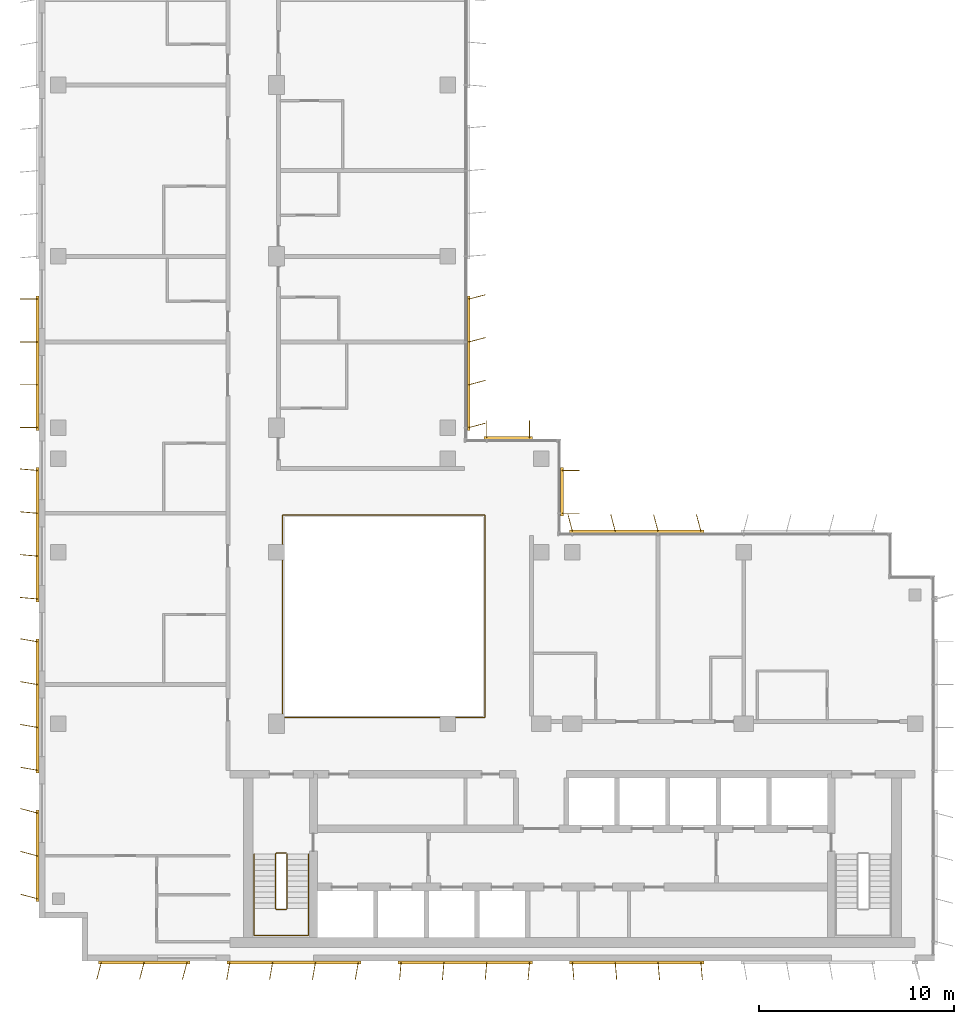
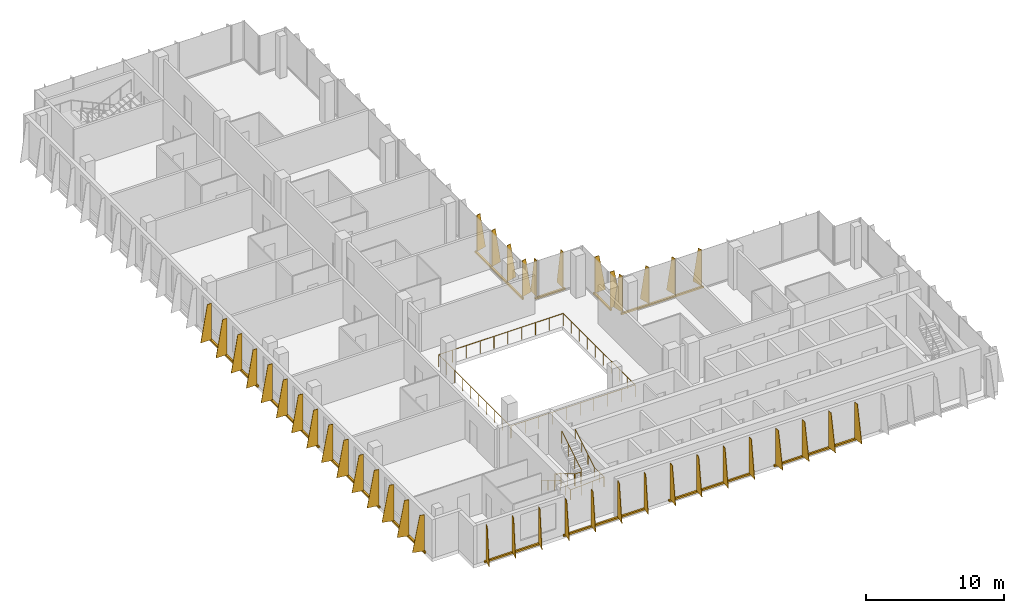
# One storey, part 14 of 16: 12 shading devices, 3 railings.
"""IFC4 building model written with IfcOpenShell, lengths in metres."""

from ifc_helpers import new_model, si_unit, direction, frame, origin, origin_2d, place, context, subcontext, project, spatial, polyline, rectangle, circle, outline, extrude, source, transform, mapped, material, layer, layer_set, type_object, element, save


model = new_model("IFC4")

# Units and contexts
model_context = context("Model", 3, precision=1e-05, world=origin(), true_north=direction((0.0, 1.0)))
body_context = subcontext(model_context, "Body", "Model", "MODEL_VIEW")
ifc_project = project(units=[si_unit("LENGTHUNIT", "METRE"), si_unit("AREAUNIT", "SQUARE_METRE"), si_unit("VOLUMEUNIT", "CUBIC_METRE"), si_unit("PLANEANGLEUNIT", "RADIAN"), si_unit("MASSUNIT", "GRAM", prefix="KILO")], contexts=[model_context])

# Site, building, storey
site_placement = place(None, origin())
site = spatial("IfcSite", under=ifc_project, at=site_placement, CompositionType="ELEMENT")
building_placement = place(site_placement, origin())
building = spatial("IfcBuilding", under=site, at=building_placement, Name="Kemantara Hotel Tower", CompositionType="ELEMENT")
storey_placement = place(building_placement, frame((0.0, 0.0, 272.199951171875)))
storey = spatial("IfcBuildingStorey", under=building, at=storey_placement, Name="L68", CompositionType="ELEMENT", Elevation=272.199951171875)

# Railings
ifc_material_1 = material(Name="Stainless steel and laminated glass balustrade", Category="steel")
railing_type_1 = type_object("IfcRailingType", Name="ATRIUM GUARD 1100", PredefinedType="GUARDRAIL", material=ifc_material_1)
railing_1_placement = place(storey_placement, frame((12.56005859375, 12.5, 0.0)))
element("IfcRailing", 1, at=railing_1_placement, inside=storey, type_object=railing_type_1, Name="ATRIUM GUARD L68", PredefinedType="GUARDRAIL", context=body_context, shape_type="SweptSolid", body=[
    extrude(circle(Radius=0.02490234375, at=origin_2d()), frame((0.0, 0.0, 1.0751953125), z_axis=(1.0, 0.0, 0.0), x_axis=(0.0, 1.0, 0.0)), (0.0, 0.0, 1.0), 10.33984375),
    extrude(circle(Radius=0.02490234375, at=origin_2d()), frame((10.33984375, 0.0, 1.0751953125), z_axis=(0.0, 1.0, 0.0), x_axis=(-1.0, 0.0, 0.0)), (0.0, 0.0, 1.0), 10.39990234375),
    extrude(circle(Radius=0.02490234375, at=origin_2d()), frame((10.33984375, 10.39990234375, 1.0751953125), z_axis=(-1.0, 0.0, 0.0), x_axis=(0.0, -1.0, 0.0)), (0.0, 0.0, 1.0), 10.39990234375),
    extrude(circle(Radius=0.02490234375, at=origin_2d()), frame((-0.06005859375, 10.39990234375, 1.0751953125), z_axis=(0.0, -1.0, 0.0), x_axis=(1.0, 0.0, 0.0)), (0.0, 0.0, 1.0), 10.39990234375),
    extrude(circle(Radius=0.02001953125, at=origin_2d()), origin(), (0.0, 0.0, 1.0), 1.050048828125),
    extrude(circle(Radius=0.02001953125, at=origin_2d()), frame((1.14892578125, 0.0, 0.0)), (0.0, 0.0, 1.0), 1.050048828125),
    extrude(circle(Radius=0.02001953125, at=origin_2d()), frame((2.2978515625, 0.0, 0.0)), (0.0, 0.0, 1.0), 1.050048828125),
    extrude(circle(Radius=0.02001953125, at=origin_2d()), frame((3.446533203125, 0.0, 0.0)), (0.0, 0.0, 1.0), 1.050048828125),
    extrude(circle(Radius=0.02001953125, at=origin_2d()), frame((4.595458984375, 0.0, 0.0)), (0.0, 0.0, 1.0), 1.050048828125),
    extrude(circle(Radius=0.02001953125, at=origin_2d()), frame((5.744384765625, 0.0, 0.0)), (0.0, 0.0, 1.0), 1.050048828125),
    extrude(circle(Radius=0.02001953125, at=origin_2d()), frame((6.893310546875, 0.0, 0.0)), (0.0, 0.0, 1.0), 1.050048828125),
    extrude(circle(Radius=0.02001953125, at=origin_2d()), frame((8.0419921875, 0.0, 0.0)), (0.0, 0.0, 1.0), 1.050048828125),
    extrude(circle(Radius=0.02001953125, at=origin_2d()), frame((9.19091796875, 0.0, 0.0)), (0.0, 0.0, 1.0), 1.050048828125),
    extrude(circle(Radius=0.02001953125, at=origin_2d()), frame((10.33984375, 0.0, 0.0)), (0.0, 0.0, 1.0), 1.050048828125),
    extrude(circle(Radius=0.02001953125, at=origin_2d()), frame((10.33984375, 1.155517578125, 0.0)), (0.0, 0.0, 1.0), 1.050048828125),
    extrude(circle(Radius=0.02001953125, at=origin_2d()), frame((10.33984375, 2.31103515625, 0.0)), (0.0, 0.0, 1.0), 1.050048828125),
    extrude(circle(Radius=0.02001953125, at=origin_2d()), frame((10.33984375, 3.466552734375, 0.0)), (0.0, 0.0, 1.0), 1.050048828125),
    extrude(circle(Radius=0.02001953125, at=origin_2d()), frame((10.33984375, 4.6220703125, 0.0)), (0.0, 0.0, 1.0), 1.050048828125),
    extrude(circle(Radius=0.02001953125, at=origin_2d()), frame((10.33984375, 5.77783203125, 0.0)), (0.0, 0.0, 1.0), 1.050048828125),
    extrude(circle(Radius=0.02001953125, at=origin_2d()), frame((10.33984375, 6.933349609375, 0.0)), (0.0, 0.0, 1.0), 1.050048828125),
    extrude(circle(Radius=0.02001953125, at=origin_2d()), frame((10.33984375, 8.0888671875, 0.0)), (0.0, 0.0, 1.0), 1.050048828125),
    extrude(circle(Radius=0.02001953125, at=origin_2d()), frame((10.33984375, 9.244384765625, 0.0)), (0.0, 0.0, 1.0), 1.050048828125),
    extrude(circle(Radius=0.02001953125, at=origin_2d()), frame((10.33984375, 10.39990234375, 0.0)), (0.0, 0.0, 1.0), 1.050048828125),
    extrude(circle(Radius=0.02001953125, at=origin_2d()), frame((9.184326171875, 10.39990234375, 0.0)), (0.0, 0.0, 1.0), 1.050048828125),
    extrude(circle(Radius=0.02001953125, at=origin_2d()), frame((8.02880859375, 10.39990234375, 0.0)), (0.0, 0.0, 1.0), 1.050048828125),
    extrude(circle(Radius=0.02001953125, at=origin_2d()), frame((6.873291015625, 10.39990234375, 0.0)), (0.0, 0.0, 1.0), 1.050048828125),
    extrude(circle(Radius=0.02001953125, at=origin_2d()), frame((5.7177734375, 10.39990234375, 0.0)), (0.0, 0.0, 1.0), 1.050048828125),
    extrude(circle(Radius=0.02001953125, at=origin_2d()), frame((4.56201171875, 10.39990234375, 0.0)), (0.0, 0.0, 1.0), 1.050048828125),
    extrude(circle(Radius=0.02001953125, at=origin_2d()), frame((3.406494140625, 10.39990234375, 0.0)), (0.0, 0.0, 1.0), 1.050048828125),
    extrude(circle(Radius=0.02001953125, at=origin_2d()), frame((2.2509765625, 10.39990234375, 0.0)), (0.0, 0.0, 1.0), 1.050048828125),
    extrude(circle(Radius=0.02001953125, at=origin_2d()), frame((1.095458984375, 10.39990234375, 0.0)), (0.0, 0.0, 1.0), 1.050048828125),
    extrude(circle(Radius=0.02001953125, at=origin_2d()), frame((-0.06005859375, 10.39990234375, 0.0)), (0.0, 0.0, 1.0), 1.050048828125),
    extrude(circle(Radius=0.02001953125, at=origin_2d()), frame((-0.06005859375, 9.244384765625, 0.0)), (0.0, 0.0, 1.0), 1.050048828125),
    extrude(circle(Radius=0.02001953125, at=origin_2d()), frame((-0.06005859375, 8.0888671875, 0.0)), (0.0, 0.0, 1.0), 1.050048828125),
    extrude(circle(Radius=0.02001953125, at=origin_2d()), frame((-0.06005859375, 6.933349609375, 0.0)), (0.0, 0.0, 1.0), 1.050048828125),
    extrude(circle(Radius=0.02001953125, at=origin_2d()), frame((-0.06005859375, 5.77783203125, 0.0)), (0.0, 0.0, 1.0), 1.050048828125),
    extrude(circle(Radius=0.02001953125, at=origin_2d()), frame((-0.06005859375, 4.6220703125, 0.0)), (0.0, 0.0, 1.0), 1.050048828125),
    extrude(circle(Radius=0.02001953125, at=origin_2d()), frame((-0.06005859375, 3.466552734375, 0.0)), (0.0, 0.0, 1.0), 1.050048828125),
    extrude(circle(Radius=0.02001953125, at=origin_2d()), frame((-0.06005859375, 2.31103515625, 0.0)), (0.0, 0.0, 1.0), 1.050048828125),
    extrude(circle(Radius=0.02001953125, at=origin_2d()), frame((-0.06005859375, 1.155517578125, 0.0)), (0.0, 0.0, 1.0), 1.050048828125),
    extrude(circle(Radius=0.02001953125, at=origin_2d()), frame((-0.06005859375, 0.0, 0.0)), (0.0, 0.0, 1.0), 1.050048828125),
])
ifc_material_2 = material(Name="Stainless steel balustrade", Category="steel")
railing_type_2 = type_object("IfcRailingType", Name="Stair guard 1100 mm", PredefinedType="GUARDRAIL", material=ifc_material_2)
railing_2_placement = place(storey_placement, frame((12.75, 5.5, 3.699951171875)))
element("IfcRailing", 2, at=railing_2_placement, inside=storey, type_object=railing_type_2, Name="L68 ST1 stair guard 1", PredefinedType="GUARDRAIL", context=body_context, shape_type="SweptSolid", body=[
    extrude(circle(Radius=0.02392578125, at=origin_2d()), frame((0.0, 0.0, 1.076171875), z_axis=(0.0, -0.857275202839, -0.514858452973), x_axis=(1.0, 0.0, 0.0)), (0.0, 0.0, 1.0), 3.26611328125),
    extrude(circle(Radius=0.02392578125, at=origin_2d()), frame((0.0, -2.800048828125, -0.60546875), z_axis=(-0.274243871929, -0.274243871929, -0.92172696468), x_axis=(0.707106781187, -0.707106781187, 0.0)), (0.0, 0.0, 1.0), 0.1826171875),
    extrude(circle(Radius=0.02392578125, at=origin_2d()), frame((-0.050048828125, -2.85009765625, -0.77392578125), z_axis=(-1.0, 0.0, 0.0), x_axis=(0.0, -1.0, 0.0)), (0.0, 0.0, 1.0), 0.5),
    extrude(circle(Radius=0.02392578125, at=origin_2d()), frame((-0.550048828125, -2.85009765625, -0.77392578125), z_axis=(-0.707106781187, 0.707106781187, 0.0), x_axis=(-0.707106781187, -0.707106781187, 0.0)), (0.0, 0.0, 1.0), 0.07080078125),
    extrude(circle(Radius=0.02392578125, at=origin_2d()), frame((-0.60009765625, -2.800048828125, -0.77392578125), z_axis=(0.0, 0.857242210791, -0.514913383045), x_axis=(-1.0, 0.0, 0.0)), (0.0, 0.0, 1.0), 3.266357421875),
    extrude(circle(Radius=0.02392578125, at=origin_2d()), frame((-0.60009765625, 0.0, -2.45556640625), z_axis=(0.274243871929, 0.274243871929, -0.92172696468), x_axis=(-0.707106781187, 0.707106781187, 0.0)), (0.0, 0.0, 1.0), 0.1826171875),
    extrude(circle(Radius=0.02392578125, at=origin_2d()), frame((-0.550048828125, 0.050048828125, -2.6240234375), z_axis=(1.0, 0.0, 0.0), x_axis=(0.0, 1.0, 0.0)), (0.0, 0.0, 1.0), 0.5),
    extrude(circle(Radius=0.02099609375, at=origin_2d()), origin(), (0.0, 0.0, 1.0), 1.052001953125),
    extrude(circle(Radius=0.02099609375, at=origin_2d()), frame((0.0, -0.933349609375, -0.560546875)), (0.0, 0.0, 1.0), 1.052001953125),
    extrude(circle(Radius=0.02099609375, at=origin_2d()), frame((0.0, -1.86669921875, -1.12109375)), (0.0, 0.0, 1.0), 1.052001953125),
    extrude(circle(Radius=0.02099609375, at=origin_2d()), frame((0.0, -2.800048828125, -1.681640625)), (0.0, 0.0, 1.0), 1.052001953125),
    extrude(circle(Radius=0.02099609375, at=origin_2d()), frame((-0.050048828125, -2.85009765625, -1.849853515625)), (0.0, 0.0, 1.0), 1.052001953125),
    extrude(circle(Radius=0.02099609375, at=origin_2d()), frame((-0.550048828125, -2.85009765625, -1.849853515625)), (0.0, 0.0, 1.0), 1.052001953125),
    extrude(circle(Radius=0.02099609375, at=origin_2d()), frame((-0.60009765625, -2.800048828125, -1.849853515625)), (0.0, 0.0, 1.0), 1.052001953125),
    extrude(circle(Radius=0.02099609375, at=origin_2d()), frame((-0.60009765625, -1.86669921875, -2.410400390625)), (0.0, 0.0, 1.0), 1.052001953125),
    extrude(circle(Radius=0.02099609375, at=origin_2d()), frame((-0.60009765625, -0.933349609375, -2.97119140625)), (0.0, 0.0, 1.0), 1.052001953125),
    extrude(circle(Radius=0.02099609375, at=origin_2d()), frame((-0.60009765625, 0.0, -3.53173828125)), (0.0, 0.0, 1.0), 1.052001953125),
    extrude(circle(Radius=0.02099609375, at=origin_2d()), frame((-0.550048828125, 0.050048828125, -3.699951171875)), (0.0, 0.0, 1.0), 1.052001953125),
    extrude(circle(Radius=0.02099609375, at=origin_2d()), frame((-0.050048828125, 0.050048828125, -3.699951171875)), (0.0, 0.0, 1.0), 1.052001953125),
])
railing_type_3 = type_object("IfcRailingType", Name="Stair handrail 900 mm", PredefinedType="HANDRAIL", material=ifc_material_2)
railing_3_placement = place(storey_placement, frame((11.050048828125, 5.5, 0.168212890625)))
element("IfcRailing", 3, at=railing_3_placement, inside=storey, type_object=railing_type_3, Name="L68 ST1 stair handrail 1", PredefinedType="HANDRAIL", context=body_context, shape_type="SweptSolid", body=[
    extrude(circle(Radius=0.02392578125, at=origin_2d()), frame((0.0, 0.0, 0.8759765625), z_axis=(0.0, -0.857242210791, 0.514913383045), x_axis=(1.0, 0.0, 0.0)), (0.0, 0.0, 1.0), 3.266357421875),
    extrude(circle(Radius=0.02392578125, at=origin_2d()), frame((0.0, -2.800048828125, 2.5576171875), z_axis=(0.0, -1.0, 0.0), x_axis=(1.0, 0.0, 0.0)), (0.0, 0.0, 1.0), 1.3798828125),
    extrude(circle(Radius=0.02392578125, at=origin_2d()), frame((0.0, -4.179931640625, 2.5576171875), z_axis=(0.998200367801, 0.0, 0.059966871865), x_axis=(0.0, 1.0, 0.0)), (0.0, 0.0, 1.0), 2.80517578125),
    extrude(circle(Radius=0.02392578125, at=origin_2d()), frame((2.800048828125, -4.179931640625, 2.72607421875), z_axis=(0.0, 1.0, 0.0), x_axis=(-1.0, 0.0, 0.0)), (0.0, 0.0, 1.0), 1.3798828125),
    extrude(circle(Radius=0.02392578125, at=origin_2d()), frame((2.800048828125, -2.800048828125, 2.72607421875), z_axis=(0.0, 0.857275202839, 0.514858452973), x_axis=(-1.0, 0.0, 0.0)), (0.0, 0.0, 1.0), 3.26611328125),
    extrude(circle(Radius=0.02099609375, at=origin_2d()), origin(), (0.0, 0.0, 1.0), 0.851806640625),
    extrude(circle(Radius=0.02099609375, at=origin_2d()), frame((0.0, -0.933349609375, 0.560546875)), (0.0, 0.0, 1.0), 0.851806640625),
    extrude(circle(Radius=0.02099609375, at=origin_2d()), frame((0.0, -1.86669921875, 1.121337890625)), (0.0, 0.0, 1.0), 0.851806640625),
    extrude(circle(Radius=0.02099609375, at=origin_2d()), frame((0.0, -2.800048828125, 1.681884765625)), (0.0, 0.0, 1.0), 0.851806640625),
    extrude(circle(Radius=0.02099609375, at=origin_2d()), frame((0.0, -3.489990234375, 1.681884765625)), (0.0, 0.0, 1.0), 0.851806640625),
    extrude(circle(Radius=0.02099609375, at=origin_2d()), frame((0.0, -4.179931640625, 1.681884765625)), (0.0, 0.0, 1.0), 0.851806640625),
    extrude(circle(Radius=0.02099609375, at=origin_2d()), frame((0.933349609375, -4.179931640625, 1.738037109375)), (0.0, 0.0, 1.0), 0.851806640625),
    extrude(circle(Radius=0.02099609375, at=origin_2d()), frame((1.86669921875, -4.179931640625, 1.7939453125)), (0.0, 0.0, 1.0), 0.851806640625),
    extrude(circle(Radius=0.02099609375, at=origin_2d()), frame((2.800048828125, -4.179931640625, 1.85009765625)), (0.0, 0.0, 1.0), 0.851806640625),
    extrude(circle(Radius=0.02099609375, at=origin_2d()), frame((2.800048828125, -3.489990234375, 1.85009765625)), (0.0, 0.0, 1.0), 0.851806640625),
    extrude(circle(Radius=0.02099609375, at=origin_2d()), frame((2.800048828125, -2.800048828125, 1.85009765625)), (0.0, 0.0, 1.0), 0.851806640625),
    extrude(circle(Radius=0.02099609375, at=origin_2d()), frame((2.800048828125, -1.86669921875, 2.41064453125)), (0.0, 0.0, 1.0), 0.851806640625),
    extrude(circle(Radius=0.02099609375, at=origin_2d()), frame((2.800048828125, -0.933349609375, 2.97119140625)), (0.0, 0.0, 1.0), 0.851806640625),
    extrude(circle(Radius=0.02099609375, at=origin_2d()), frame((2.800048828125, 0.0, 3.53173828125)), (0.0, 0.0, 1.0), 0.851806640625),
])

# Shading devices
ifc_material_3 = material(Name="Perforated aluminium plate 4 mm bronze anodised", Category="aluminium")
ifc_layer_1 = layer(ifc_material_3, 0.0400390625)
ifc_layer_set_1 = layer_set([ifc_layer_1], Name="Perforated aluminium plate 4 mm bronze anodised")
shading_device_type_1 = type_object("IfcShadingDeviceType", Name="SCREEN FIN CASSETTE, 3 BLADES AT -15.0 DEG, 3200 HIGH", PredefinedType="USERDEFINED", material=ifc_layer_set_1)
shared_shape_1 = source(origin(), body_context, "Body", "SweptSolid", [
    extrude(rectangle(XDim=4.699951171875, YDim=0.14990234375, at=origin_2d()), frame((2.199951171875, -0.074951171875, -0.14990234375), z_axis=(0.0, 0.0, 1.0), x_axis=(1.0, 0.0, 0.0)), (0.0, 0.0, 1.0), 0.14990234375),
    extrude(outline(polyline([(0.0, 0.0), (0.89990234375, 0.0), (0.35009765625, 3.199951171875), (0.0, 3.199951171875), (0.0, 0.0)])), frame((0.019287109375, -0.080078125, 0.0), z_axis=(-0.966437683387, 0.256901156343, 0.0), x_axis=(-0.256901156343, -0.966437683387, 0.0)), (0.0, 0.0, 1.0), 0.039794921875),
    extrude(outline(polyline([(0.0, 0.0), (0.89990234375, 0.0), (0.35009765625, 3.199951171875), (0.0, 3.199951171875), (0.0, 0.0)])), frame((2.21923828125, -0.080078125, 0.0), z_axis=(-0.966437683387, 0.256901156343, 0.0), x_axis=(-0.256901156343, -0.966437683387, 0.0)), (0.0, 0.0, 1.0), 0.039794921875),
    extrude(outline(polyline([(0.0, 0.0), (0.89990234375, 0.0), (0.35009765625, 3.199951171875), (0.0, 3.199951171875), (0.0, 0.0)])), frame((4.41943359375, -0.080078125, 0.0), z_axis=(-0.966837822169, 0.255391122837, 0.0), x_axis=(-0.255391122837, -0.966837822169, 0.0)), (0.0, 0.0, 1.0), 0.0400390625),
])
for number, where, z_axis, x_axis, name in (
    (4, (0.0, 7.60009765625, 0.10009765625), (0.0, 0.0, 1.0), (0.0, -1.0, 0.0), "SCREEN FIN CASSETTE L68 T4-R05-7"),
    (5, (3.199951171875, 0.0, 0.10009765625), (0.0, 0.0, 1.0), (1.0, 0.0, 0.0), "SCREEN FIN CASSETTE L68 T4-R08-1"),
):
    element("IfcShadingDevice", number, at=place(storey_placement, frame(where, z_axis=z_axis, x_axis=x_axis)), inside=storey, type_object=shading_device_type_1, Name=name, ObjectType="SCREEN FIN", PredefinedType="USERDEFINED", context=body_context, shape_type="MappedRepresentation", body=[
        mapped(shared_shape_1, transform((0.0, 0.0, 0.0))),
    ])
ifc_layer_2 = layer(ifc_material_3, 0.0400390625)
ifc_layer_set_2 = layer_set([ifc_layer_2], Name="Perforated aluminium plate 4 mm bronze anodised")
shading_device_type_2 = type_object("IfcShadingDeviceType", Name="SCREEN FIN CASSETTE, 4 BLADES AT -10.0 DEG, 3200 HIGH", PredefinedType="USERDEFINED", material=ifc_layer_set_2)
shared_shape_2 = source(origin(), body_context, "Body", "SweptSolid", [
    extrude(rectangle(XDim=6.89990234375, YDim=0.14990234375, at=origin_2d()), frame((3.300048828125, -0.074951171875, -0.14990234375), z_axis=(0.0, 0.0, 1.0), x_axis=(1.0, 0.0, 0.0)), (0.0, 0.0, 1.0), 0.14990234375),
    extrude(outline(polyline([(0.0, 0.0), (0.89990234375, 0.0), (0.35009765625, 3.199951171875), (0.0, 3.199951171875), (0.0, 0.0)])), frame((0.019775390625, -0.078369140625, 0.0), z_axis=(-0.985389793052, 0.170314285219, 0.0), x_axis=(-0.170314285219, -0.985389793052, 0.0)), (0.0, 0.0, 1.0), 0.0400390625),
    extrude(outline(polyline([(0.0, 0.0), (0.89990234375, 0.0), (0.35009765625, 3.199951171875), (0.0, 3.199951171875), (0.0, 0.0)])), frame((2.2197265625, -0.078369140625, 0.0), z_axis=(-0.98521175482, 0.171341174751, 0.0), x_axis=(-0.171341174751, -0.98521175482, 0.0)), (0.0, 0.0, 1.0), 0.039794921875),
    extrude(outline(polyline([(0.0, 0.0), (0.89990234375, 0.0), (0.35009765625, 3.199951171875), (0.0, 3.199951171875), (0.0, 0.0)])), frame((4.419677734375, -0.078369140625, 0.0), z_axis=(-0.98521175482, 0.171341174751, 0.0), x_axis=(-0.171341174751, -0.98521175482, 0.0)), (0.0, 0.0, 1.0), 0.039794921875),
    extrude(outline(polyline([(0.0, 0.0), (0.89990234375, 0.0), (0.35009765625, 3.199951171875), (0.0, 3.199951171875), (0.0, 0.0)])), frame((6.61962890625, -0.078369140625, 0.0), z_axis=(-0.98521175482, 0.171341174751, 0.0), x_axis=(-0.171341174751, -0.98521175482, 0.0)), (0.0, 0.0, 1.0), 0.039794921875),
])
for number, where, z_axis, x_axis, name in (
    (6, (0.0, 16.39990234375, 0.10009765625), (0.0, 0.0, 1.0), (0.0, -1.0, 0.0), "SCREEN FIN CASSETTE L68 T4-R05-6"),
    (7, (9.800048828125, 0.0, 0.10009765625), (0.0, 0.0, 1.0), (1.0, 0.0, 0.0), "SCREEN FIN CASSETTE L68 T4-R08-2"),
):
    element("IfcShadingDevice", number, at=place(storey_placement, frame(where, z_axis=z_axis, x_axis=x_axis)), inside=storey, type_object=shading_device_type_2, Name=name, ObjectType="SCREEN FIN", PredefinedType="USERDEFINED", context=body_context, shape_type="MappedRepresentation", body=[
        mapped(shared_shape_2, transform((0.0, 0.0, 0.0))),
    ])
ifc_layer_3 = layer(ifc_material_3, 0.0400390625)
ifc_layer_set_3 = layer_set([ifc_layer_3], Name="Perforated aluminium plate 4 mm bronze anodised")
shading_device_type_3 = type_object("IfcShadingDeviceType", Name="SCREEN FIN CASSETTE, 4 BLADES AT -5.0 DEG, 3200 HIGH", PredefinedType="USERDEFINED", material=ifc_layer_set_3)
shared_shape_3 = source(origin(), body_context, "Body", "SweptSolid", [
    extrude(rectangle(XDim=6.89990234375, YDim=0.14990234375, at=origin_2d()), frame((3.300048828125, -0.074951171875, -0.14990234375), z_axis=(0.0, 0.0, 1.0), x_axis=(1.0, 0.0, 0.0)), (0.0, 0.0, 1.0), 0.14990234375),
    extrude(outline(polyline([(0.0, 0.0), (0.89990234375, 0.0), (0.35009765625, 3.199951171875), (0.0, 3.199951171875), (0.0, 0.0)])), frame((0.02001953125, -0.07666015625, 0.0), z_axis=(-0.996376129781, 0.085056498884, 0.0), x_axis=(-0.085056498884, -0.996376129781, 0.0)), (0.0, 0.0, 1.0), 0.040283203125),
    extrude(outline(polyline([(0.0, 0.0), (0.89990234375, 0.0), (0.35009765625, 3.199951171875), (0.0, 3.199951171875), (0.0, 0.0)])), frame((2.219970703125, -0.07666015625, 0.0), z_axis=(-0.996331773833, 0.085574508182, 0.0), x_axis=(-0.085574508182, -0.996331773833, 0.0)), (0.0, 0.0, 1.0), 0.0400390625),
    extrude(outline(polyline([(0.0, 0.0), (0.89990234375, 0.0), (0.35009765625, 3.199951171875), (0.0, 3.199951171875), (0.0, 0.0)])), frame((4.419921875, -0.07666015625, 0.0), z_axis=(-0.996331773833, 0.085574508182, 0.0), x_axis=(-0.085574508182, -0.996331773833, 0.0)), (0.0, 0.0, 1.0), 0.0400390625),
    extrude(outline(polyline([(0.0, 0.0), (0.89990234375, 0.0), (0.35009765625, 3.199951171875), (0.0, 3.199951171875), (0.0, 0.0)])), frame((6.619873046875, -0.07666015625, 0.0), z_axis=(-0.996331773833, 0.085574508182, 0.0), x_axis=(-0.085574508182, -0.996331773833, 0.0)), (0.0, 0.0, 1.0), 0.0400390625),
])
for number, where, z_axis, x_axis, name in (
    (8, (0.0, 25.199951171875, 0.10009765625), (0.0, 0.0, 1.0), (0.0, -1.0, 0.0), "SCREEN FIN CASSETTE L68 T4-R05-5"),
    (9, (18.60009765625, 0.0, 0.10009765625), (0.0, 0.0, 1.0), (1.0, 0.0, 0.0), "SCREEN FIN CASSETTE L68 T4-R08-3"),
):
    element("IfcShadingDevice", number, at=place(storey_placement, frame(where, z_axis=z_axis, x_axis=x_axis)), inside=storey, type_object=shading_device_type_3, Name=name, ObjectType="SCREEN FIN", PredefinedType="USERDEFINED", context=body_context, shape_type="MappedRepresentation", body=[
        mapped(shared_shape_3, transform((0.0, 0.0, 0.0))),
    ])
ifc_layer_4 = layer(ifc_material_3, 0.0400390625)
ifc_layer_set_4 = layer_set([ifc_layer_4], Name="Perforated aluminium plate 4 mm bronze anodised")
shading_device_type_4 = type_object("IfcShadingDeviceType", Name="SCREEN FIN CASSETTE, 4 BLADES AT +0.0 DEG, 3200 HIGH", PredefinedType="USERDEFINED", material=ifc_layer_set_4)
shared_shape_4 = source(origin(), body_context, "Body", "SweptSolid", [
    extrude(rectangle(XDim=6.89990234375, YDim=0.14990234375, at=origin_2d()), frame((3.300048828125, -0.074951171875, -0.14990234375), z_axis=(0.0, 0.0, 1.0), x_axis=(1.0, 0.0, 0.0)), (0.0, 0.0, 1.0), 0.14990234375),
    extrude(outline(polyline([(0.0, 0.0), (0.89990234375, 0.0), (0.35009765625, 3.199951171875), (0.0, 3.199951171875), (0.0, 0.0)])), frame((0.02001953125, -0.074951171875, 0.0), z_axis=(-1.0, 0.0, 0.0), x_axis=(0.0, -1.0, 0.0)), (0.0, 0.0, 1.0), 0.0400390625),
    extrude(outline(polyline([(0.0, 0.0), (0.89990234375, 0.0), (0.35009765625, 3.199951171875), (0.0, 3.199951171875), (0.0, 0.0)])), frame((2.219970703125, -0.074951171875, 0.0), z_axis=(-1.0, 0.0, 0.0), x_axis=(0.0, -1.0, 0.0)), (0.0, 0.0, 1.0), 0.0400390625),
    extrude(outline(polyline([(0.0, 0.0), (0.89990234375, 0.0), (0.35009765625, 3.199951171875), (0.0, 3.199951171875), (0.0, 0.0)])), frame((4.419921875, -0.074951171875, 0.0), z_axis=(-1.0, 0.0, 0.0), x_axis=(0.0, -1.0, 0.0)), (0.0, 0.0, 1.0), 0.0400390625),
    extrude(outline(polyline([(0.0, 0.0), (0.89990234375, 0.0), (0.35009765625, 3.199951171875), (0.0, 3.199951171875), (0.0, 0.0)])), frame((6.6201171875, -0.074951171875, 0.0), z_axis=(-1.0, 0.0, 0.0), x_axis=(0.0, -1.0, 0.0)), (0.0, 0.0, 1.0), 0.0400390625),
])
shading_device_1_placement = place(storey_placement, frame((0.0, 34.0, 0.10009765625), z_axis=(0.0, 0.0, 1.0), x_axis=(0.0, -1.0, 0.0)))
element("IfcShadingDevice", 10, at=shading_device_1_placement, inside=storey, type_object=shading_device_type_4, Name="SCREEN FIN CASSETTE L68 T4-R05-4", ObjectType="SCREEN FIN", PredefinedType="USERDEFINED", context=body_context, shape_type="MappedRepresentation", body=[
    mapped(shared_shape_4, transform((0.0, 0.0, 0.0))),
])
ifc_layer_5 = layer(ifc_material_3, 0.0400390625)
ifc_layer_set_5 = layer_set([ifc_layer_5], Name="Perforated aluminium plate 4 mm bronze anodised")
shading_device_type_5 = type_object("IfcShadingDeviceType", Name="SCREEN FIN CASSETTE, 4 BLADES AT +5.0 DEG, 3200 HIGH", PredefinedType="USERDEFINED", material=ifc_layer_set_5)
shared_shape_5 = source(origin(), body_context, "Body", "SweptSolid", [
    extrude(rectangle(XDim=6.89990234375, YDim=0.14990234375, at=origin_2d()), frame((3.300048828125, -0.074951171875, -0.14990234375), z_axis=(0.0, 0.0, 1.0), x_axis=(1.0, 0.0, 0.0)), (0.0, 0.0, 1.0), 0.14990234375),
    extrude(outline(polyline([(0.0, 0.0), (0.89990234375, 0.0), (0.35009765625, 3.199951171875), (0.0, 3.199951171875), (0.0, 0.0)])), frame((0.02001953125, -0.0732421875, 0.0), z_axis=(-0.996376129781, -0.085056498884, 0.0), x_axis=(0.085056498884, -0.996376129781, 0.0)), (0.0, 0.0, 1.0), 0.040283203125),
    extrude(outline(polyline([(0.0, 0.0), (0.89990234375, 0.0), (0.35009765625, 3.199951171875), (0.0, 3.199951171875), (0.0, 0.0)])), frame((2.219970703125, -0.0732421875, 0.0), z_axis=(-0.996331773833, -0.085574508182, 0.0), x_axis=(0.085574508182, -0.996331773833, 0.0)), (0.0, 0.0, 1.0), 0.0400390625),
    extrude(outline(polyline([(0.0, 0.0), (0.89990234375, 0.0), (0.35009765625, 3.199951171875), (0.0, 3.199951171875), (0.0, 0.0)])), frame((4.419921875, -0.0732421875, 0.0), z_axis=(-0.996331773833, -0.085574508182, 0.0), x_axis=(0.085574508182, -0.996331773833, 0.0)), (0.0, 0.0, 1.0), 0.0400390625),
    extrude(outline(polyline([(0.0, 0.0), (0.89990234375, 0.0), (0.35009765625, 3.199951171875), (0.0, 3.199951171875), (0.0, 0.0)])), frame((6.619873046875, -0.0732421875, 0.0), z_axis=(-0.996331773833, -0.085574508182, 0.0), x_axis=(0.085574508182, -0.996331773833, 0.0)), (0.0, 0.0, 1.0), 0.0400390625),
])
shading_device_2_placement = place(storey_placement, frame((27.39990234375, 0.0, 0.10009765625), z_axis=(0.0, 0.0, 1.0), x_axis=(1.0, 0.0, 0.0)))
element("IfcShadingDevice", 11, at=shading_device_2_placement, inside=storey, type_object=shading_device_type_5, Name="SCREEN FIN CASSETTE L68 T4-R08-4", ObjectType="SCREEN FIN", PredefinedType="USERDEFINED", context=body_context, shape_type="MappedRepresentation", body=[
    mapped(shared_shape_5, transform((0.0, 0.0, 0.0))),
])
ifc_layer_6 = layer(ifc_material_3, 0.0400390625)
ifc_layer_set_6 = layer_set([ifc_layer_6], Name="Perforated aluminium plate 4 mm bronze anodised")
shading_device_type_6 = type_object("IfcShadingDeviceType", Name="SCREEN FIN CASSETTE, 4 BLADES AT +15.0 DEG, 3200 HIGH", PredefinedType="USERDEFINED", material=ifc_layer_set_6)
shared_shape_6 = source(origin(), body_context, "Body", "SweptSolid", [
    extrude(rectangle(XDim=6.89990234375, YDim=0.14990234375, at=origin_2d()), frame((3.300048828125, -0.074951171875, -0.14990234375), z_axis=(0.0, 0.0, 1.0), x_axis=(1.0, 0.0, 0.0)), (0.0, 0.0, 1.0), 0.14990234375),
    extrude(outline(polyline([(0.0, 0.0), (0.89990234375, 0.0), (0.35009765625, 3.199951171875), (0.0, 3.199951171875), (0.0, 0.0)])), frame((0.019287109375, -0.06982421875, 0.0), z_axis=(-0.966437683387, -0.256901156343, 0.0), x_axis=(0.256901156343, -0.966437683387, 0.0)), (0.0, 0.0, 1.0), 0.039794921875),
    extrude(outline(polyline([(0.0, 0.0), (0.89990234375, 0.0), (0.35009765625, 3.199951171875), (0.0, 3.199951171875), (0.0, 0.0)])), frame((2.21923828125, -0.06982421875, 0.0), z_axis=(-0.966437683387, -0.256901156343, 0.0), x_axis=(0.256901156343, -0.966437683387, 0.0)), (0.0, 0.0, 1.0), 0.039794921875),
    extrude(outline(polyline([(0.0, 0.0), (0.89990234375, 0.0), (0.35009765625, 3.199951171875), (0.0, 3.199951171875), (0.0, 0.0)])), frame((4.41943359375, -0.06982421875, 0.0), z_axis=(-0.966837822169, -0.255391122837, 0.0), x_axis=(0.255391122837, -0.966837822169, 0.0)), (0.0, 0.0, 1.0), 0.0400390625),
    extrude(outline(polyline([(0.0, 0.0), (0.89990234375, 0.0), (0.35009765625, 3.199951171875), (0.0, 3.199951171875), (0.0, 0.0)])), frame((6.619384765625, -0.06982421875, 0.0), z_axis=(-0.966837822169, -0.255391122837, 0.0), x_axis=(0.255391122837, -0.966837822169, 0.0)), (0.0, 0.0, 1.0), 0.0400390625),
])
for number, where, z_axis, x_axis, name in (
    (12, (34.0, 22.0, 0.10009765625), (0.0, 0.0, 1.0), (-1.0, 0.0, 0.0), "SCREEN FIN CASSETTE L68 T4-R12-2"),
    (13, (22.0, 27.39990234375, 0.10009765625), (0.0, 0.0, 1.0), (0.0, 1.0, 0.0), "SCREEN FIN CASSETTE L68 T4-R15-1"),
):
    element("IfcShadingDevice", number, at=place(storey_placement, frame(where, z_axis=z_axis, x_axis=x_axis)), inside=storey, type_object=shading_device_type_6, Name=name, ObjectType="SCREEN FIN", PredefinedType="USERDEFINED", context=body_context, shape_type="MappedRepresentation", body=[
        mapped(shared_shape_6, transform((0.0, 0.0, 0.0))),
    ])
ifc_layer_7 = layer(ifc_material_3, 0.0400390625)
ifc_layer_set_7 = layer_set([ifc_layer_7], Name="Perforated aluminium plate 4 mm bronze anodised")
shading_device_type_7 = type_object("IfcShadingDeviceType", Name="SCREEN FIN CASSETTE, 2 BLADES AT +0.0 DEG, 3200 HIGH", PredefinedType="USERDEFINED", material=ifc_layer_set_7)
shared_shape_7 = source(origin(), body_context, "Body", "SweptSolid", [
    extrude(rectangle(XDim=2.5, YDim=0.14990234375, at=origin_2d()), frame((1.10009765625, -0.074951171875, -0.14990234375), z_axis=(0.0, 0.0, 1.0), x_axis=(1.0, 0.0, 0.0)), (0.0, 0.0, 1.0), 0.14990234375),
    extrude(outline(polyline([(0.0, 0.0), (0.89990234375, 0.0), (0.35009765625, 3.199951171875), (0.0, 3.199951171875), (0.0, 0.0)])), frame((0.02001953125, -0.074951171875, 0.0), z_axis=(-1.0, 0.0, 0.0), x_axis=(0.0, -1.0, 0.0)), (0.0, 0.0, 1.0), 0.0400390625),
    extrude(outline(polyline([(0.0, 0.0), (0.89990234375, 0.0), (0.35009765625, 3.199951171875), (0.0, 3.199951171875), (0.0, 0.0)])), frame((2.219970703125, -0.074951171875, 0.0), z_axis=(-1.0, 0.0, 0.0), x_axis=(0.0, -1.0, 0.0)), (0.0, 0.0, 1.0), 0.0400390625),
])
for number, where, z_axis, x_axis, name in (
    (14, (26.800048828125, 23.0, 0.10009765625), (0.0, 0.0, 1.0), (0.0, 1.0, 0.0), "SCREEN FIN CASSETTE L68 T4-R13-1"),
    (15, (25.199951171875, 26.800048828125, 0.10009765625), (0.0, 0.0, 1.0), (-1.0, 0.0, 0.0), "SCREEN FIN CASSETTE L68 T4-R14-1"),
):
    element("IfcShadingDevice", number, at=place(storey_placement, frame(where, z_axis=z_axis, x_axis=x_axis)), inside=storey, type_object=shading_device_type_7, Name=name, ObjectType="SCREEN FIN", PredefinedType="USERDEFINED", context=body_context, shape_type="MappedRepresentation", body=[
        mapped(shared_shape_7, transform((0.0, 0.0, 0.0))),
    ])

save(model, "model.ifc")
